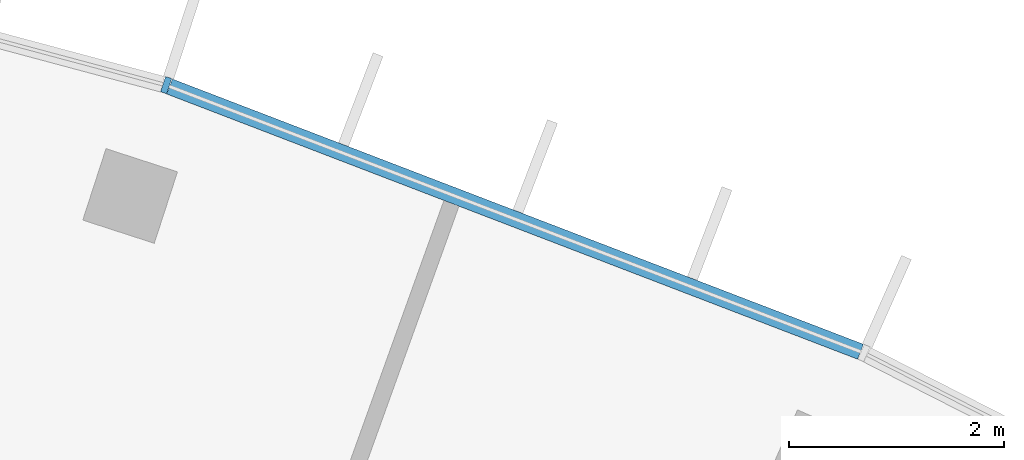
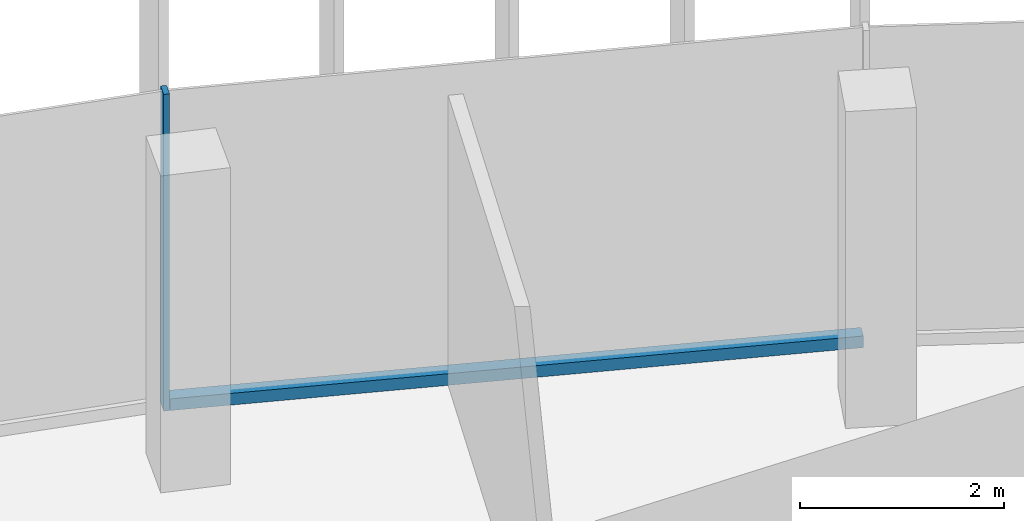
# One storey, part 10 of 18: 2 members, 1 element without a shape of its own.
"""IFC4 building model written with IfcOpenShell, lengths in metres."""

import ifcopenshell
import ifcopenshell.guid

model = None  # the IFC model being written
_history = None  # IfcOwnerHistory: only IFC2X3 demands one
_inside = {}  # id of a spatial element -> (the spatial element, [elements in it])
_under = {}  # id of a project, library or spatial element -> (it, [spatial elements below it])
_declared = {}  # id of a project -> (the project, [libraries it declares])
_typed = {}  # id of a type object -> (the type object, [elements of that type])
_made_of = {}  # id of a material, layer set ... -> (it, [elements and type objects made of it])


def new_model(schema):
    """Start an empty IFC model of exactly this schema.

    Asked for "IFC4X3", IfcOpenShell would pick the latest addendum, in which some entities
    have other attributes; the version numbers below select the first issue.
    IFC2X3 requires an IfcOwnerHistory on every rooted entity: one is made here for all.
    """
    global model, _history
    if schema == "IFC4X3":
        model = ifcopenshell.file(schema_version=(4, 3, 0, 0))
    else:
        model = ifcopenshell.file(schema=schema)
    _inside.clear()
    _under.clear()
    _declared.clear()
    _typed.clear()
    _made_of.clear()
    _history = None
    if model.schema == "IFC2X3":
        org = make("IfcOrganization", Name="unknown")
        user = make(
            "IfcPersonAndOrganization",
            ThePerson=make("IfcPerson", FamilyName="unknown"),
            TheOrganization=org,
        )
        app = make(
            "IfcApplication",
            ApplicationDeveloper=org,
            Version="unknown",
            ApplicationFullName="unknown",
            ApplicationIdentifier="unknown",
        )
        _history = make(
            "IfcOwnerHistory",
            OwningUser=user,
            OwningApplication=app,
            ChangeAction="ADDED",
            CreationDate=0,
        )
    return model


def make(cls, **values):
    """One entity of the class cls with the attributes given. An attribute that is None is left unset."""
    return model.create_entity(
        cls, **{name: value for name, value in values.items() if value is not None}
    )


def rooted(cls, **values):
    """An entity with a GlobalId (a new one), such as an element, a storey or a relation."""
    return make(cls, GlobalId=ifcopenshell.guid.new(), OwnerHistory=_history, **values)


def si_unit(unit_type, name, prefix=None):
    """IfcSIUnit, for example si_unit("LENGTHUNIT", "METRE", prefix="MILLI")."""
    return make("IfcSIUnit", UnitType=unit_type, Prefix=prefix, Name=name)


def assignment(units):
    """IfcUnitAssignment: the units of a project."""
    return None if units is None else make("IfcUnitAssignment", Units=units)


def point(xyz):
    """IfcCartesianPoint."""
    return None if xyz is None else make("IfcCartesianPoint", Coordinates=xyz)


def direction(xyz):
    """IfcDirection."""
    return None if xyz is None else make("IfcDirection", DirectionRatios=xyz)


def frame(location, z_axis=None, x_axis=None):
    """IfcAxis2Placement3D, a coordinate frame: its origin and axes. An axis left out is left unset."""
    return make(
        "IfcAxis2Placement3D",
        Location=point(location),
        Axis=direction(z_axis),
        RefDirection=direction(x_axis),
    )


def frame_2d(location, x_axis=None):
    """IfcAxis2Placement2D, a coordinate frame in the plane: its origin and x axis."""
    return make(
        "IfcAxis2Placement2D", Location=point(location), RefDirection=direction(x_axis)
    )


def origin():
    """The frame at (0, 0, 0) with its axes left unset."""
    return frame((0.0, 0.0, 0.0))


def origin_2d():
    """The frame at (0, 0) in the plane with its x axis left unset."""
    return frame_2d((0.0, 0.0))


def place(relative_to, where):
    """IfcLocalPlacement: puts the frame where relative to a parent placement (None: the world)."""
    return make(
        "IfcLocalPlacement", PlacementRelTo=relative_to, RelativePlacement=where
    )


def context(
    kind, dimensions, precision=None, world=None, true_north=None, identifier=None
):
    """IfcGeometricRepresentationContext, for example the 3D "Model" context."""
    return make(
        "IfcGeometricRepresentationContext",
        ContextIdentifier=identifier,
        ContextType=kind,
        CoordinateSpaceDimension=dimensions,
        Precision=precision,
        WorldCoordinateSystem=world,
        TrueNorth=true_north,
    )


def subcontext(parent, identifier, kind, view, scale=None):
    """IfcGeometricRepresentationSubContext, for example "Body" below "Model"."""
    return make(
        "IfcGeometricRepresentationSubContext",
        ContextIdentifier=identifier,
        ContextType=kind,
        ParentContext=parent,
        TargetScale=scale,
        TargetView=view,
    )


def project(units=None, contexts=None):
    """IfcProject with its units and contexts."""
    return rooted(
        "IfcProject",
        Name="project",
        RepresentationContexts=contexts,
        UnitsInContext=assignment(units),
    )


def spatial(cls, under=None, at=None, **own):
    """A site, building, storey or space (cls), placed at a placement, below another one or the project."""
    s = rooted(cls, ObjectPlacement=at, **own)
    if under is not None:
        _under.setdefault(under.id(), (under, []))[1].append(s)
    return s


def profile(cls, at=None, kind="AREA", **sizes):
    """A parametric profile (cls). Its sizes go by their IFC names, for example OverallWidth=200.0."""
    return make(cls, ProfileType=kind, Position=at, **sizes)


def rectangle(**sizes):
    """IfcRectangleProfileDef."""
    return profile("IfcRectangleProfileDef", **sizes)


def extrude(swept, where, along, depth):
    """IfcExtrudedAreaSolid: the profile swept, set in the frame where, extruded along a direction by depth."""
    return make(
        "IfcExtrudedAreaSolid",
        SweptArea=swept,
        Position=where,
        ExtrudedDirection=direction(along),
        Depth=depth,
    )


def shape(context_of_items, identifier, shape_type, items):
    """IfcShapeRepresentation: the items that make up one representation, for example the "Body"."""
    return make(
        "IfcShapeRepresentation",
        ContextOfItems=context_of_items,
        RepresentationIdentifier=identifier,
        RepresentationType=shape_type,
        Items=items,
    )


def material(Name=None, Category=None):
    """IfcMaterial."""
    return make("IfcMaterial", Name=Name, Category=Category)


def layer(
    of_material, thickness, ventilated=None, Name=None, Category=None, Priority=None
):
    """IfcMaterialLayer: one layer of a wall or slab, of a material (None: an air gap)."""
    return make(
        "IfcMaterialLayer",
        Material=of_material,
        LayerThickness=thickness,
        IsVentilated=ventilated,
        Name=Name,
        Category=Category,
        Priority=Priority,
    )


def layer_set(layers, Name=None):
    """IfcMaterialLayerSet."""
    return make("IfcMaterialLayerSet", MaterialLayers=layers, LayerSetName=Name)


def material_profile(
    of_material, cross_section, Name=None, Category=None, Priority=None
):
    """IfcMaterialProfile: a cross section and its material."""
    return make(
        "IfcMaterialProfile",
        Name=Name,
        Material=of_material,
        Profile=cross_section,
        Priority=Priority,
        Category=Category,
    )


def profile_set(profiles, Name=None, composite=None):
    """IfcMaterialProfileSet."""
    return make(
        "IfcMaterialProfileSet",
        Name=Name,
        MaterialProfiles=profiles,
        CompositeProfile=composite,
    )


def made_of(thing, what):
    """Note that an element or type object is made of a material, layer set ...; save() writes the relation."""
    if what is not None:
        _made_of.setdefault(what.id(), (what, []))[1].append(thing)
    return thing


def type_object(cls, material=None, **own):
    """A type object (cls), such as IfcWallType, which elements share."""
    return made_of(rooted(cls, **own), material)


def element(
    cls,
    number,
    at=None,
    inside=None,
    cuts=None,
    type_object=None,
    material=None,
    context=None,
    identifier="Body",
    shape_type=None,
    held_by="IfcProductDefinitionShape",
    body=None,
    shapes=None,
    **own,
):
    """One element of the class cls, such as IfcWall. Its Tag is "e" and its number.

    at: its placement. inside: the storey or other place that contains it. cuts: it is an
    opening in that element (IfcRelVoidsElement). A single representation is given by context,
    identifier, shape_type and body (its items); several are given by shapes. held_by: the class
    of the entity that holds the representations. save() writes the other relations.
    """
    e = rooted(cls, Tag="e%d" % number, ObjectPlacement=at, **own)
    if body is not None:
        shapes = [shape(context, identifier, shape_type, body)]
    if shapes is not None:
        e.Representation = make(held_by, Representations=shapes)
    if inside is not None:
        _inside.setdefault(inside.id(), (inside, []))[1].append(e)
    if cuts is not None:
        rooted(
            "IfcRelVoidsElement", RelatingBuildingElement=cuts, RelatedOpeningElement=e
        )
    if type_object is not None:
        _typed.setdefault(type_object.id(), (type_object, []))[1].append(e)
    return made_of(e, material)


def aggregate(whole, parts):
    """IfcRelAggregates: a whole, such as a stair, and the parts it consists of."""
    return rooted("IfcRelAggregates", RelatingObject=whole, RelatedObjects=parts)


def save(model, path):
    """Write the relations noted so far, then the file.

    IfcRelAggregates (storeys below a building ...), IfcRelContainedInSpatialStructure (elements
    in a storey), IfcRelDefinesByType, IfcRelAssociatesMaterial and IfcRelDeclares: one each for
    every whole, place, type object, material and project.
    """
    for whole, parts in _under.values():
        aggregate(whole, parts)
    for where, things in _inside.values():
        rooted(
            "IfcRelContainedInSpatialStructure",
            RelatedElements=things,
            RelatingStructure=where,
        )
    for kind, things in _typed.values():
        rooted("IfcRelDefinesByType", RelatedObjects=things, RelatingType=kind)
    for what, things in _made_of.values():
        rooted("IfcRelAssociatesMaterial", RelatedObjects=things, RelatingMaterial=what)
    for by, libraries in _declared.values():
        rooted("IfcRelDeclares", RelatingContext=by, RelatedDefinitions=libraries)
    model.write(path)


model = new_model("IFC4")

# Units and contexts
model_context = context("Model", 3, precision=1e-05, world=origin(), true_north=direction((0.0, 1.0)))
body_context = subcontext(model_context, "Body", "Model", "MODEL_VIEW")
ifc_project = project(units=[si_unit("LENGTHUNIT", "METRE"), si_unit("AREAUNIT", "SQUARE_METRE"), si_unit("VOLUMEUNIT", "CUBIC_METRE"), si_unit("PLANEANGLEUNIT", "RADIAN"), si_unit("MASSUNIT", "GRAM", prefix="KILO")], contexts=[model_context])

# Site, building, storey
site_placement = place(None, origin())
site = spatial("IfcSite", under=ifc_project, at=site_placement, CompositionType="ELEMENT")
building_placement = place(site_placement, origin())
building = spatial("IfcBuilding", under=site, at=building_placement, Name="Stone Belt Terrace Tower", CompositionType="ELEMENT")
storey_placement = place(building_placement, frame((0.0, 0.0, 269.39990234375)))
storey = spatial("IfcBuildingStorey", under=building, at=storey_placement, Name="L65", CompositionType="ELEMENT", Elevation=269.39990234375)

# Curtain wall, members
ifc_material = material(Name="Aluminium 6063-T6 anodised frame", Category="aluminium")
ifc_layer = layer(ifc_material, 0.14990234375)
ifc_layer_set = layer_set([ifc_layer], Name="CW-A unitised convex-face curtain wall")
curtain_wall_type = type_object("IfcCurtainWallType", Name="CW-A unitised convex-face curtain wall", PredefinedType="NOTDEFINED", material=ifc_layer_set)
curtain_wall_placement = place(storey_placement, origin())
curtain_wall = element("IfcCurtainWall", 1, at=curtain_wall_placement, inside=storey, type_object=curtain_wall_type, Name="CW-A convex face L65", PredefinedType="NOTDEFINED")
ifc_material_profile_1 = material_profile(ifc_material, rectangle(XDim=0.14990234375, YDim=0.06005859375, at=origin_2d()), Name="Aluminium 6063-T6 60x150")
ifc_profile_set_1 = profile_set([ifc_material_profile_1], Name="Aluminium 6063-T6 anodised frame")
member_type_1 = type_object("IfcMemberType", Name="CW-A mullion 60 x 150", PredefinedType="MULLION", material=ifc_profile_set_1)
member_1_placement = place(storey_placement, frame((20.57275390625, 63.316650390625, 0.0), z_axis=(0.0, 0.0, 1.0), x_axis=(-0.309016994375, -0.951056516295, 0.0)))
member_1 = element("IfcMember", 2, at=member_1_placement, type_object=member_type_1, Name="CW-A mullion 5", PredefinedType="MULLION", context=body_context, shape_type="SweptSolid", body=[
    extrude(rectangle(XDim=0.14990234375, YDim=0.06005859375, at=origin_2d()), origin(), (0.0, 0.0, 1.0), 3.800048828125),
])
ifc_material_profile_2 = material_profile(ifc_material, rectangle(XDim=0.14990234375, YDim=0.139892578125, at=origin_2d()), Name="Aluminium 6063-T6 150x140")
ifc_profile_set_2 = profile_set([ifc_material_profile_2], Name="Aluminium 6063-T6 anodised frame")
member_type_2 = type_object("IfcMemberType", Name="CW-A transom 140 x 150", PredefinedType="USERDEFINED", material=ifc_profile_set_2)
member_2_placement = place(storey_placement, frame((27.046875, 60.83154296875, 0.070068359375), z_axis=(-0.933585210269, 0.358355487146, 0.0), x_axis=(-0.358355487146, -0.933585210269, 0.0)))
member_2 = element("IfcMember", 3, at=member_2_placement, type_object=member_type_2, Name="CW-A transom 4.1", ObjectType="TRANSOM", PredefinedType="USERDEFINED", context=body_context, shape_type="SweptSolid", body=[
    extrude(rectangle(XDim=0.14990234375, YDim=0.139892578125, at=origin_2d()), origin(), (0.0, 0.0, 1.0), 6.900634765625),
])
aggregate(curtain_wall, [member_1, member_2])

save(model, "model.ifc")
